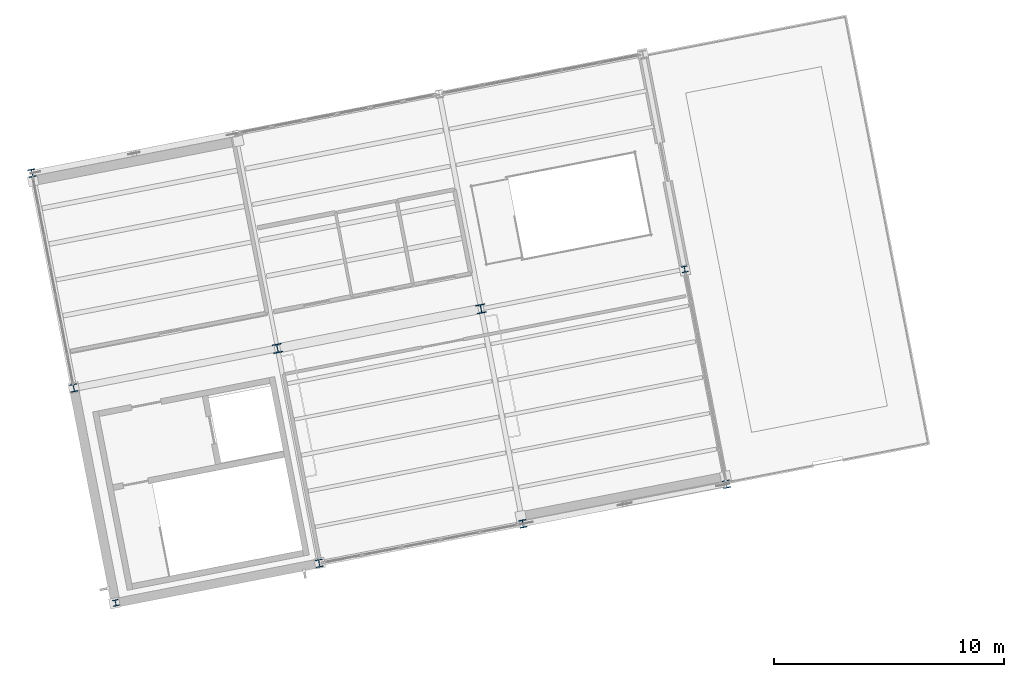
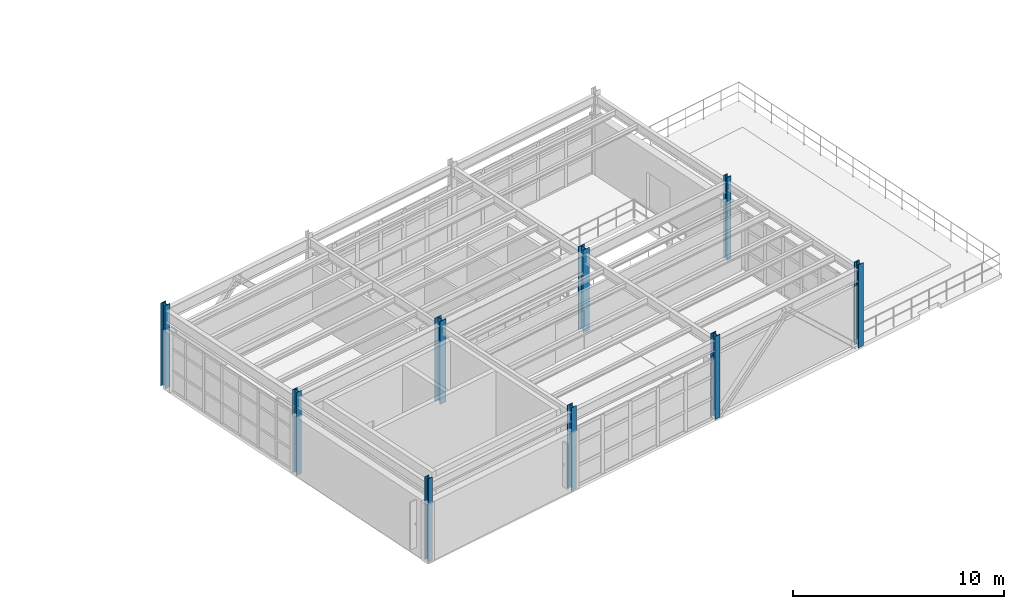
# One storey, part 1 of 102: 9 columns.
"""IFC4 building model written with IfcOpenShell, lengths in metres."""

from ifc_helpers import new_model, si_unit, direction, frame, origin, origin_2d, place, context, subcontext, project, spatial, i_section, extrude, material, material_profile, profile_set, type_object, element, save


model = new_model("IFC4")

# Units and contexts
model_context = context("Model", 3, precision=1e-05, world=origin(), true_north=direction((0.0, 1.0)))
body_context = subcontext(model_context, "Body", "Model", "MODEL_VIEW")
ifc_project = project(units=[si_unit("LENGTHUNIT", "METRE"), si_unit("AREAUNIT", "SQUARE_METRE"), si_unit("VOLUMEUNIT", "CUBIC_METRE"), si_unit("PLANEANGLEUNIT", "RADIAN"), si_unit("MASSUNIT", "GRAM", prefix="KILO")], contexts=[model_context])

# Site, building, storey
site_placement = place(None, origin())
site = spatial("IfcSite", under=ifc_project, at=site_placement, CompositionType="ELEMENT")
building_placement = place(site_placement, origin())
building = spatial("IfcBuilding", under=site, at=building_placement, Name="Vireo Bluff Cable Station", CompositionType="ELEMENT")
storey_placement = place(building_placement, frame((0.0, 0.0, 9.60009765625)))
storey = spatial("IfcBuildingStorey", under=building, at=storey_placement, Name="L02", CompositionType="ELEMENT", Elevation=9.60009765625)

# Columns
ifc_material = material(Name="Steel ASTM A992 Gr. 50", Category="steel")
ifc_material_profile_1 = material_profile(ifc_material, i_section(OverallWidth=0.39404296875, OverallDepth=0.3759765625, WebThickness=0.017333984375, FlangeThickness=0.027587890625, FilletRadius=0.014892578125, at=origin_2d()), Name="W14X145")
ifc_profile_set_1 = profile_set([ifc_material_profile_1], Name="Steel ASTM A992 Gr. 50")
column_type_1 = type_object("IfcColumnType", Name="COL-W14X145", PredefinedType="COLUMN", material=ifc_profile_set_1)
column_1_placement = place(storey_placement, frame((25.356689453125, 18.260009765625, 0.0), z_axis=(0.0, 0.0, 1.0), x_axis=(0.981627183448, 0.190808995377, 0.0)))
element("IfcColumn", 1, at=column_1_placement, inside=storey, type_object=column_type_1, Name="V5 L02 column 357", PredefinedType="COLUMN", context=body_context, shape_type="SweptSolid", body=[
    extrude(i_section(OverallWidth=0.39404296875, OverallDepth=0.3759765625, WebThickness=0.017333984375, FlangeThickness=0.027587890625, FilletRadius=0.014892578125, at=origin_2d()), origin(), (0.0, 0.0, 1.0), 4.7998046875),
])
ifc_material_profile_2 = material_profile(ifc_material, i_section(OverallWidth=0.39599609375, OverallDepth=0.381103515625, WebThickness=0.018798828125, FlangeThickness=0.0302734375, FilletRadius=0.014892578125, at=origin_2d()), Name="W14X159")
ifc_profile_set_2 = profile_set([ifc_material_profile_2], Name="Steel ASTM A992 Gr. 50")
column_type_2 = type_object("IfcColumnType", Name="COL-W14X159", PredefinedType="COLUMN", material=ifc_profile_set_2)
column_2_placement = place(storey_placement, frame((16.52197265625, 16.542724609375, 0.0), z_axis=(0.0, 0.0, 1.0), x_axis=(0.981627183448, 0.190808995377, 0.0)))
element("IfcColumn", 2, at=column_2_placement, inside=storey, type_object=column_type_2, Name="V5 L02 column 346", PredefinedType="COLUMN", context=body_context, shape_type="SweptSolid", body=[
    extrude(i_section(OverallWidth=0.39599609375, OverallDepth=0.381103515625, WebThickness=0.018798828125, FlangeThickness=0.0302734375, FilletRadius=0.014892578125, at=origin_2d()), origin(), (0.0, 0.0, 1.0), 4.7998046875),
])
ifc_material_profile_3 = material_profile(ifc_material, i_section(OverallWidth=0.31298828125, OverallDepth=0.3330078125, WebThickness=0.01806640625, FlangeThickness=0.028076171875, FilletRadius=0.012939453125, at=origin_2d()), Name="W12X120")
ifc_profile_set_3 = profile_set([ifc_material_profile_3], Name="Steel ASTM A992 Gr. 50")
column_type_3 = type_object("IfcColumnType", Name="ECOL-W12X120", PredefinedType="COLUMN", material=ifc_profile_set_3)
for number, where, z_axis, x_axis, name in (
    (3, (5.87451171875, 24.15087890625, 0.0), (0.0, 0.0, 1.0), (0.981627183448, 0.190808995377, 0.0), "V5 L02 column 338"),
    (4, (27.169189453125, 8.9345703125, 0.0), (0.0, 0.0, 1.0), (0.981627183448, 0.190808995377, 0.0), "V5 L02 column 354"),
):
    element("IfcColumn", number, at=place(storey_placement, frame(where, z_axis=z_axis, x_axis=x_axis)), inside=storey, type_object=column_type_3, Name=name, PredefinedType="COLUMN", context=body_context, shape_type="SweptSolid", body=[
        extrude(i_section(OverallWidth=0.31298828125, OverallDepth=0.3330078125, WebThickness=0.01806640625, FlangeThickness=0.028076171875, FilletRadius=0.012939453125, at=origin_2d()), origin(), (0.0, 0.0, 1.0), 4.7998046875),
    ])
ifc_material_profile_4 = material_profile(ifc_material, i_section(OverallWidth=0.30908203125, OverallDepth=0.322998046875, WebThickness=0.013916015625, FlangeThickness=0.02294921875, FilletRadius=0.012939453125, at=origin_2d()), Name="W12X96")
ifc_profile_set_4 = profile_set([ifc_material_profile_4], Name="Steel ASTM A992 Gr. 50")
column_type_4 = type_object("IfcColumnType", Name="ECOL-W12X96", PredefinedType="COLUMN", material=ifc_profile_set_4)
for number, where, z_axis, x_axis, name in (
    (5, (7.687255859375, 14.825439453125, 0.0), (0.0, 0.0, 1.0), (0.981627183448, 0.190808995377, 0.0), "V5 L02 column 335"),
    (6, (18.334716796875, 7.21728515625, 0.0), (0.0, 0.0, 1.0), (0.981627183448, 0.190808995377, 0.0), "V5 L02 column 343"),
    (7, (36.00390625, 10.65185546875, 0.0), (0.0, 0.0, 1.0), (0.981627183448, 0.190808995377, 0.0), "V5 L02 column 365"),
):
    element("IfcColumn", number, at=place(storey_placement, frame(where, z_axis=z_axis, x_axis=x_axis)), inside=storey, type_object=column_type_4, Name=name, PredefinedType="COLUMN", context=body_context, shape_type="SweptSolid", body=[
        extrude(i_section(OverallWidth=0.30908203125, OverallDepth=0.322998046875, WebThickness=0.013916015625, FlangeThickness=0.02294921875, FilletRadius=0.012939453125, at=origin_2d()), origin(), (0.0, 0.0, 1.0), 4.7998046875),
    ])
ifc_material_profile_5 = material_profile(ifc_material, i_section(OverallWidth=0.257080078125, OverallDepth=0.263916015625, WebThickness=0.011962890625, FlangeThickness=0.01953125, FilletRadius=0.009033203125, at=origin_2d()), Name="W10X68")
ifc_profile_set_5 = profile_set([ifc_material_profile_5], Name="Steel ASTM A992 Gr. 50")
column_type_5 = type_object("IfcColumnType", Name="PIL-W10X68", PredefinedType="PILASTER", material=ifc_profile_set_5)
for number, where, z_axis, x_axis, name in (
    (8, (9.5, 5.5, 0.0), (0.0, 0.0, 1.0), (0.981627183448, 0.190808995377, 0.0), "V5 L02 column 332"),
    (9, (34.191162109375, 19.977294921875, 0.0), (0.0, 0.0, 1.0), (0.981627183448, 0.190808995377, 0.0), "V5 L02 column 368"),
):
    element("IfcColumn", number, at=place(storey_placement, frame(where, z_axis=z_axis, x_axis=x_axis)), inside=storey, type_object=column_type_5, Name=name, PredefinedType="PILASTER", context=body_context, shape_type="SweptSolid", body=[
        extrude(i_section(OverallWidth=0.257080078125, OverallDepth=0.263916015625, WebThickness=0.011962890625, FlangeThickness=0.01953125, FilletRadius=0.009033203125, at=origin_2d()), origin(), (0.0, 0.0, 1.0), 4.7998046875),
    ])

save(model, "model.ifc")
